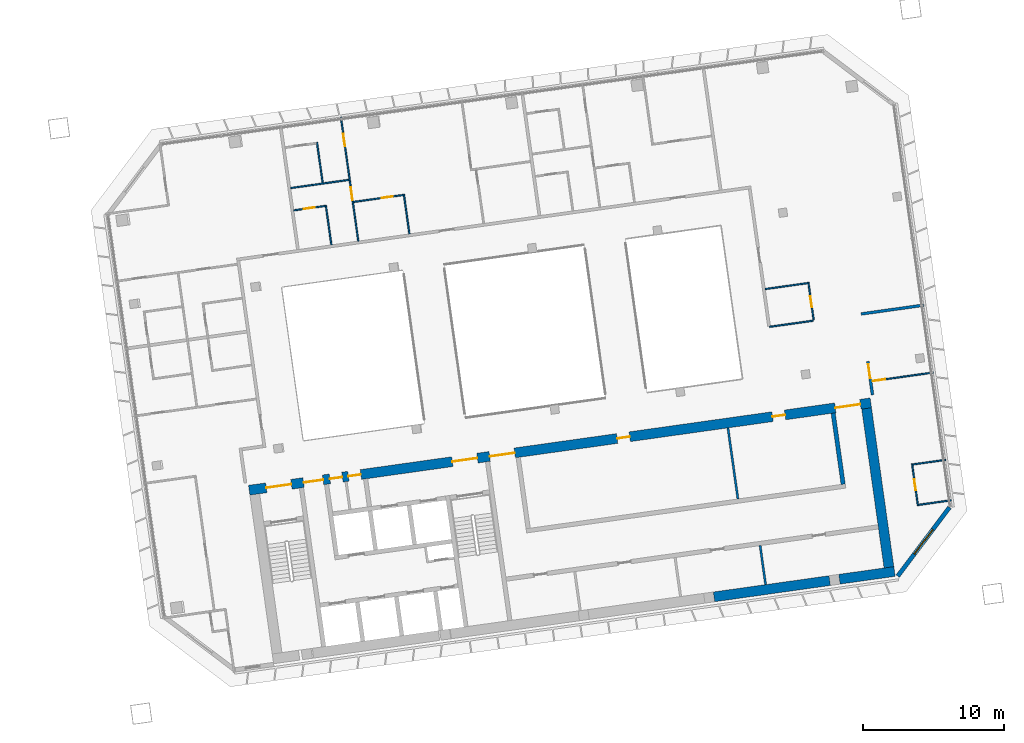
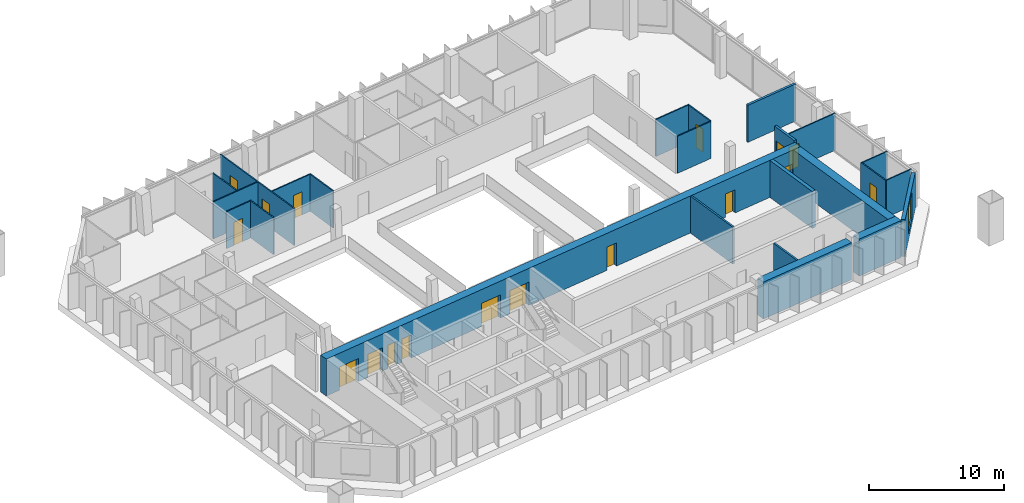
# One storey, part 19 of 23: 24 walls, 17 doors, 1 window, 18 openings.
"""IFC4 building model written with IfcOpenShell, lengths in metres."""

from ifc_helpers import new_model, si_unit, direction, frame, frame_2d, origin, place, context, subcontext, project, spatial, rectangle, extrude, material, layer, layer_set, type_object, element, fill, save


model = new_model("IFC4")

# Units and contexts
model_context = context("Model", 3, precision=1e-05, world=origin(), true_north=direction((0.0, 1.0)))
body_context = subcontext(model_context, "Body", "Model", "MODEL_VIEW")
ifc_project = project(units=[si_unit("LENGTHUNIT", "METRE"), si_unit("AREAUNIT", "SQUARE_METRE"), si_unit("VOLUMEUNIT", "CUBIC_METRE"), si_unit("PLANEANGLEUNIT", "RADIAN"), si_unit("MASSUNIT", "GRAM", prefix="KILO")], contexts=[model_context])

# Site, building, storey
site_placement = place(None, origin())
site = spatial("IfcSite", under=ifc_project, at=site_placement, CompositionType="ELEMENT")
building_placement = place(site_placement, origin())
building = spatial("IfcBuilding", under=site, at=building_placement, Name="Mirante Cascada Hotel Towers", CompositionType="ELEMENT")
storey_placement = place(building_placement, frame((0.0, 0.0, 199.2)))
storey = spatial("IfcBuildingStorey", under=building, at=storey_placement, Name="L47", CompositionType="ELEMENT", Elevation=199.2)

# Wall
ifc_material_1 = material(Name="Fire-rated plasterboard on metal studs")
ifc_layer_1 = layer(ifc_material_1, 0.2)
ifc_layer_set_1 = layer_set([ifc_layer_1], Name="Compartment wall 200 EI 120")
wall_type_1 = type_object("IfcWallType", Name="Compartment wall 200 EI 120", PredefinedType="PARTITIONING", material=ifc_layer_set_1)
wall_1_placement = place(storey_placement, frame((79.0183, 4.8891, 0.0), z_axis=(0.0, 0.0, 1.0), x_axis=(0.9902705, 0.1391561, 0.0)))
element("IfcWall", 1, at=wall_1_placement, inside=storey, type_object=wall_type_1, Name="Wall 2-L47-10", PredefinedType="PARTITIONING", context=body_context, shape_type="SweptSolid", body=[
    extrude(rectangle(XDim=4.5, YDim=0.2, at=frame_2d((2.25, 0.0))), origin(), (0.0, 0.0, 1.0), 3.35),
])

# Wall, opening, door
wall_2_placement = place(storey_placement, frame((79.4915, 1.5222, 0.0), z_axis=(0.0, 0.0, 1.0), x_axis=(0.1391635, -0.9902694, 0.0)))
wall_2 = element("IfcWall", 2, at=wall_2_placement, inside=storey, type_object=wall_type_1, Name="Wall 2-L47-55", PredefinedType="PARTITIONING", context=body_context, shape_type="SweptSolid", body=[
    extrude(rectangle(XDim=2.4001, YDim=0.2, at=frame_2d((1.2, 0.0))), origin(), (0.0, 0.0, 1.0), 3.35),
])
opening_1_placement = place(wall_2_placement, frame((0.2167, 0.0, 0.0)))
opening_1 = element("IfcOpeningElement", 3, at=opening_1_placement, cuts=wall_2, Name="Opening D2-L47-33", PredefinedType="OPENING", context=body_context, shape_type="SweptSolid", body=[
    extrude(rectangle(XDim=1.0, YDim=2.1, at=frame_2d((0.5, 1.05))), frame((0.0, 0.1, 0.0), z_axis=(0.0, -1.0, 0.0), x_axis=(1.0, 0.0, 0.0)), (0.0, 0.0, 1.0), 0.2),
])
ifc_material_2 = material(Name="Fire-rated timber door leaf", Category="wood")
door_type_1 = type_object("IfcDoorType", Name="Entrance door DG1 1000x2100 EI 60", OperationType="SINGLE_SWING_LEFT", PredefinedType="DOOR", material=ifc_material_2)
door_1_placement = place(opening_1_placement, origin())
door_1 = element("IfcDoor", 4, at=door_1_placement, inside=storey, type_object=door_type_1, Name="Door D2-L47-33", OperationType="SINGLE_SWING_LEFT", OverallHeight=2.1, OverallWidth=1.0, PredefinedType="DOOR", context=body_context, shape_type="SweptSolid", body=[
    extrude(rectangle(XDim=1.0, YDim=2.1, at=frame_2d((0.5, 1.05))), frame((0.0, 0.025, 0.0), z_axis=(0.0, -1.0, 0.0), x_axis=(1.0, 0.0, 0.0)), (0.0, 0.0, 1.0), 0.05),
])
fill(opening_1, door_1)

# Walls
ifc_material_3 = material(Name="Masonry block", Category="masonry")
ifc_layer_2 = layer(ifc_material_3, 0.15)
ifc_layer_set_2 = layer_set([ifc_layer_2], Name="Core room partition 150 block EI 30")
wall_type_2 = type_object("IfcWallType", Name="Core room partition 150 block EI 30", PredefinedType="PARTITIONING", material=ifc_layer_set_2)
wall_3_placement = place(storey_placement, frame((72.2288, -14.343, 0.0), z_axis=(0.0, 0.0, 1.0), x_axis=(-0.139181, 0.990267, 0.0)))
element("IfcWall", 5, at=wall_3_placement, inside=storey, type_object=wall_type_2, Name="Core wall partition T2 L47 8", PredefinedType="PARTITIONING", context=body_context, shape_type="SweptSolid", body=[
    extrude(rectangle(XDim=2.8, YDim=0.15, at=frame_2d((1.4, 0.0))), origin(), (0.0, 0.0, 1.0), 3.35),
])
wall_4_placement = place(storey_placement, frame((70.2627, -8.2574, 0.0), z_axis=(0.0, 0.0, 1.0), x_axis=(-0.1391755, 0.9902677, 0.0)))
element("IfcWall", 6, at=wall_4_placement, inside=storey, type_object=wall_type_2, Name="Core wall partition T2 L47 9", PredefinedType="PARTITIONING", context=body_context, shape_type="SweptSolid", body=[
    extrude(rectangle(XDim=5.1, YDim=0.15, at=frame_2d((2.55, 0.0))), origin(), (0.0, 0.0, 1.0), 3.35),
])
ifc_material_4 = material(Name="Plasterboard on metal studs")
ifc_layer_3 = layer(ifc_material_4, 0.1)
ifc_layer_set_3 = layer_set([ifc_layer_3], Name="Partition 100")
wall_type_3 = type_object("IfcWallType", Name="Partition 100", PredefinedType="PARTITIONING", material=ifc_layer_set_3)
for number, where, z_axis, x_axis, name in (
    (7, (85.4229, -8.3484, 0.0), (0.0, 0.0, 1.0), (-0.9902653, -0.1391929, 0.0), "Wall 2-L47-03"),
    (8, (82.6922, -5.8037, 0.0), (0.0, 0.0, 1.0), (0.9902653, 0.1391929, 0.0), "Wall 2-L47-04"),
):
    element("IfcWall", number, at=place(storey_placement, frame(where, z_axis=z_axis, x_axis=x_axis)), inside=storey, type_object=wall_type_3, Name=name, PredefinedType="PARTITIONING", context=body_context, shape_type="SweptSolid", body=[
        extrude(rectangle(XDim=2.35, YDim=0.1, at=frame_2d((1.175, 0.0))), origin(), (0.0, 0.0, 1.0), 3.35),
    ])

# Wall, opening, door
wall_5_placement = place(storey_placement, frame((79.79, 0.1167, 0.0), z_axis=(0.0, 0.0, 1.0), x_axis=(0.9902665, 0.1391841, 0.0)))
wall_5 = element("IfcWall", 9, at=wall_5_placement, inside=storey, type_object=wall_type_3, Name="Wall 2-L47-06", PredefinedType="PARTITIONING", context=body_context, shape_type="SweptSolid", body=[
    extrude(rectangle(XDim=4.3999, YDim=0.1, at=frame_2d((2.2, 0.0))), origin(), (0.0, 0.0, 1.0), 3.35),
])
opening_2_placement = place(wall_5_placement, frame((0.05, 0.0, 0.0)))
opening_2 = element("IfcOpeningElement", 10, at=opening_2_placement, cuts=wall_5, Name="Opening D2-L47-01", PredefinedType="OPENING", context=body_context, shape_type="SweptSolid", body=[
    extrude(rectangle(XDim=0.9, YDim=2.1, at=frame_2d((0.45, 1.05))), frame((0.0, 0.05, 0.0), z_axis=(0.0, -1.0, 0.0), x_axis=(1.0, 0.0, 0.0)), (0.0, 0.0, 1.0), 0.1),
])
ifc_material_5 = material(Name="Timber door leaf", Category="wood")
door_type_2 = type_object("IfcDoorType", Name="Room door DG3 900x2100", OperationType="SINGLE_SWING_LEFT", PredefinedType="DOOR", material=ifc_material_5)
door_2_placement = place(opening_2_placement, frame((0.9, 0.0, 0.0), z_axis=(0.0, 0.0, 1.0), x_axis=(-1.0, 0.0, 0.0)))
door_2 = element("IfcDoor", 11, at=door_2_placement, inside=storey, type_object=door_type_2, Name="Door D2-L47-01", OperationType="SINGLE_SWING_RIGHT", OverallHeight=2.1, OverallWidth=0.9, PredefinedType="DOOR", context=body_context, shape_type="SweptSolid", body=[
    extrude(rectangle(XDim=0.9, YDim=2.1, at=frame_2d((0.45, 1.05))), frame((0.0, 0.025, 0.0), z_axis=(0.0, -1.0, 0.0), x_axis=(1.0, 0.0, 0.0)), (0.0, 0.0, 1.0), 0.05),
])
fill(opening_2, door_2)

# Walls
wall_6_placement = place(storey_placement, frame((75.6216, 4.4117, 0.0), z_axis=(0.0, 0.0, 1.0), x_axis=(-0.990268, -0.1391738, 0.0)))
element("IfcWall", 12, at=wall_6_placement, inside=storey, type_object=wall_type_3, Name="Wall 2-L47-09", PredefinedType="PARTITIONING", context=body_context, shape_type="SweptSolid", body=[
    extrude(rectangle(XDim=3.14, YDim=0.1, at=frame_2d((1.57, 0.0))), origin(), (0.0, 0.0, 1.0), 3.35),
])
wall_7_placement = place(storey_placement, frame((75.3251, 7.0966, 0.0), z_axis=(0.0, 0.0, 1.0), x_axis=(-0.9902676, -0.1391765, 0.0)))
element("IfcWall", 13, at=wall_7_placement, inside=storey, type_object=wall_type_3, Name="Wall 2-L47-13", PredefinedType="PARTITIONING", context=body_context, shape_type="SweptSolid", body=[
    extrude(rectangle(XDim=3.15, YDim=0.1, at=frame_2d((1.575, 0.0))), origin(), (0.0, 0.0, 1.0), 3.35),
])

# Wall, opening, door
wall_8_placement = place(storey_placement, frame((40.9371, 12.5639, 0.0), z_axis=(0.0, 0.0, 1.0), x_axis=(-0.9902705, -0.1391561, 0.0)))
wall_8 = element("IfcWall", 14, at=wall_8_placement, inside=storey, type_object=wall_type_3, Name="Wall 2-L47-19", PredefinedType="PARTITIONING", context=body_context, shape_type="SweptSolid", body=[
    extrude(rectangle(XDim=2.25, YDim=0.1, at=frame_2d((1.125, 0.0))), origin(), (0.0, 0.0, 1.0), 3.35),
])
opening_3_placement = place(wall_8_placement, frame((0.75, 0.0, 0.0)))
opening_3 = element("IfcOpeningElement", 15, at=opening_3_placement, cuts=wall_8, Name="Opening D2-L47-09", PredefinedType="OPENING", context=body_context, shape_type="SweptSolid", body=[
    extrude(rectangle(XDim=0.8, YDim=2.1, at=frame_2d((0.4, 1.05))), frame((0.0, 0.05, 0.0), z_axis=(0.0, -1.0, 0.0), x_axis=(1.0, 0.0, 0.0)), (0.0, 0.0, 1.0), 0.1),
])
ifc_material_6 = material(Name="Timber door leaf", Category="wood")
door_type_3 = type_object("IfcDoorType", Name="Bathroom door DG4 800x2100", OperationType="SINGLE_SWING_LEFT", PredefinedType="DOOR", material=ifc_material_6)
door_3_placement = place(opening_3_placement, origin())
door_3 = element("IfcDoor", 16, at=door_3_placement, inside=storey, type_object=door_type_3, Name="Door D2-L47-09", OperationType="SINGLE_SWING_LEFT", OverallHeight=2.1, OverallWidth=0.8, PredefinedType="DOOR", context=body_context, shape_type="SweptSolid", body=[
    extrude(rectangle(XDim=0.8, YDim=2.1, at=frame_2d((0.4, 1.05))), frame((0.0, 0.025, 0.0), z_axis=(0.0, -1.0, 0.0), x_axis=(1.0, 0.0, 0.0)), (0.0, 0.0, 1.0), 0.05),
])
fill(opening_3, door_3)

wall_9_placement = place(storey_placement, frame((42.9499, 12.8468, 0.0), z_axis=(0.0, 0.0, 1.0), x_axis=(0.9902687, 0.1391688, 0.0)))
wall_9 = element("IfcWall", 17, at=wall_9_placement, inside=storey, type_object=wall_type_3, Name="Wall 2-L47-20", PredefinedType="PARTITIONING", context=body_context, shape_type="SweptSolid", body=[
    extrude(rectangle(XDim=3.6675, YDim=0.1, at=frame_2d((1.8338, 0.0))), origin(), (0.0, 0.0, 1.0), 3.35),
])
opening_4_placement = place(wall_9_placement, frame((2.0175, 0.0, 0.0)))
opening_4 = element("IfcOpeningElement", 18, at=opening_4_placement, cuts=wall_9, Name="Opening D2-L47-10", PredefinedType="OPENING", context=body_context, shape_type="SweptSolid", body=[
    extrude(rectangle(XDim=0.8, YDim=2.1, at=frame_2d((0.4, 1.05))), frame((0.0, 0.05, 0.0), z_axis=(0.0, -1.0, 0.0), x_axis=(1.0, 0.0, 0.0)), (0.0, 0.0, 1.0), 0.1),
])
door_4_placement = place(opening_4_placement, origin())
door_4 = element("IfcDoor", 19, at=door_4_placement, inside=storey, type_object=door_type_3, Name="Door D2-L47-10", OperationType="SINGLE_SWING_LEFT", OverallHeight=2.1, OverallWidth=0.8, PredefinedType="DOOR", context=body_context, shape_type="SweptSolid", body=[
    extrude(rectangle(XDim=0.8, YDim=2.1, at=frame_2d((0.4, 1.05))), frame((0.0, 0.025, 0.0), z_axis=(0.0, -1.0, 0.0), x_axis=(1.0, 0.0, 0.0)), (0.0, 0.0, 1.0), 0.05),
])
fill(opening_4, door_4)

# Walls
wall_10_placement = place(storey_placement, frame((38.4864, 13.8352, 0.0), z_axis=(0.0, 0.0, 1.0), x_axis=(0.9902678, 0.139175, 0.0)))
element("IfcWall", 20, at=wall_10_placement, inside=storey, type_object=wall_type_3, Name="Wall 2-L47-26", PredefinedType="PARTITIONING", context=body_context, shape_type="SweptSolid", body=[
    extrude(rectangle(XDim=4.1825, YDim=0.1, at=frame_2d((2.0912, 0.0))), origin(), (0.0, 0.0, 1.0), 3.35),
])
wall_11_placement = place(storey_placement, frame((41.3763, 9.7981, 0.0), z_axis=(0.0, 0.0, 1.0), x_axis=(-0.1391564, 0.9902704, 0.0)))
element("IfcWall", 21, at=wall_11_placement, inside=storey, type_object=wall_type_3, Name="Wall 2-L47-40", PredefinedType="PARTITIONING", context=body_context, shape_type="SweptSolid", body=[
    extrude(rectangle(XDim=2.85, YDim=0.1, at=frame_2d((1.425, 0.0))), origin(), (0.0, 0.0, 1.0), 3.35),
])
wall_12_placement = place(storey_placement, frame((40.3534, 17.0766, 0.0), z_axis=(0.0, 0.0, 1.0), x_axis=(0.1391714, -0.9902683, 0.0)))
element("IfcWall", 22, at=wall_12_placement, inside=storey, type_object=wall_type_3, Name="Wall 2-L47-41", PredefinedType="PARTITIONING", context=body_context, shape_type="SweptSolid", body=[
    extrude(rectangle(XDim=2.9, YDim=0.1, at=frame_2d((1.45, 0.0))), origin(), (0.0, 0.0, 1.0), 3.35),
])

# Wall, openings, doors
wall_13_placement = place(storey_placement, frame((43.29, 10.0671, 0.0), z_axis=(0.0, 0.0, 1.0), x_axis=(-0.13917, 0.9902685, 0.0)))
wall_13 = element("IfcWall", 23, at=wall_13_placement, inside=storey, type_object=wall_type_3, Name="Wall 2-L47-42", PredefinedType="PARTITIONING", context=body_context, shape_type="SweptSolid", body=[
    extrude(rectangle(XDim=8.8999, YDim=0.1, at=frame_2d((4.45, 0.0))), origin(), (0.0, 0.0, 1.0), 3.35),
])
opening_5_placement = place(wall_13_placement, frame((2.95, 0.0, 0.0)))
opening_5 = element("IfcOpeningElement", 24, at=opening_5_placement, cuts=wall_13, Name="Opening D2-L47-25", PredefinedType="OPENING", context=body_context, shape_type="SweptSolid", body=[
    extrude(rectangle(XDim=0.9, YDim=2.1, at=frame_2d((0.45, 1.05))), frame((0.0, 0.05, 0.0), z_axis=(0.0, -1.0, 0.0), x_axis=(1.0, 0.0, 0.0)), (0.0, 0.0, 1.0), 0.1),
])
opening_6_placement = place(wall_13_placement, frame((6.8, 0.0, 0.0)))
opening_6 = element("IfcOpeningElement", 25, at=opening_6_placement, cuts=wall_13, Name="Opening D2-L47-26", PredefinedType="OPENING", context=body_context, shape_type="SweptSolid", body=[
    extrude(rectangle(XDim=0.9, YDim=2.1, at=frame_2d((0.45, 1.05))), frame((0.0, 0.05, 0.0), z_axis=(0.0, -1.0, 0.0), x_axis=(1.0, 0.0, 0.0)), (0.0, 0.0, 1.0), 0.1),
])
door_5_placement = place(opening_5_placement, frame((0.9, 0.0, 0.0), z_axis=(0.0, 0.0, 1.0), x_axis=(-1.0, 0.0, 0.0)))
door_5 = element("IfcDoor", 26, at=door_5_placement, inside=storey, type_object=door_type_2, Name="Door D2-L47-25", OperationType="SINGLE_SWING_RIGHT", OverallHeight=2.1, OverallWidth=0.9, PredefinedType="DOOR", context=body_context, shape_type="SweptSolid", body=[
    extrude(rectangle(XDim=0.9, YDim=2.1, at=frame_2d((0.45, 1.05))), frame((0.0, 0.025, 0.0), z_axis=(0.0, -1.0, 0.0), x_axis=(1.0, 0.0, 0.0)), (0.0, 0.0, 1.0), 0.05),
])
fill(opening_5, door_5)
door_6_placement = place(opening_6_placement, frame((0.9, 0.0, 0.0), z_axis=(0.0, 0.0, 1.0), x_axis=(-1.0, 0.0, 0.0)))
door_6 = element("IfcDoor", 27, at=door_6_placement, inside=storey, type_object=door_type_2, Name="Door D2-L47-26", OperationType="SINGLE_SWING_RIGHT", OverallHeight=2.1, OverallWidth=0.9, PredefinedType="DOOR", context=body_context, shape_type="SweptSolid", body=[
    extrude(rectangle(XDim=0.9, YDim=2.1, at=frame_2d((0.45, 1.05))), frame((0.0, 0.025, 0.0), z_axis=(0.0, -1.0, 0.0), x_axis=(1.0, 0.0, 0.0)), (0.0, 0.0, 1.0), 0.05),
])
fill(opening_6, door_6)

# Wall
wall_14_placement = place(storey_placement, frame((46.5391, 13.3007, 0.0), z_axis=(0.0, 0.0, 1.0), x_axis=(0.1391657, -0.9902691, 0.0)))
element("IfcWall", 28, at=wall_14_placement, inside=storey, type_object=wall_type_3, Name="Wall 2-L47-43", PredefinedType="PARTITIONING", context=body_context, shape_type="SweptSolid", body=[
    extrude(rectangle(XDim=2.75, YDim=0.1, at=frame_2d((1.375, 0.0))), origin(), (0.0, 0.0, 1.0), 3.35),
])

# Wall, opening, door
wall_15_placement = place(storey_placement, frame((75.6444, 4.4654, 0.0), z_axis=(0.0, 0.0, 1.0), x_axis=(-0.1391918, 0.9902654, 0.0)))
wall_15 = element("IfcWall", 29, at=wall_15_placement, inside=storey, type_object=wall_type_3, Name="Wall 2-L47-54", PredefinedType="PARTITIONING", context=body_context, shape_type="SweptSolid", body=[
    extrude(rectangle(XDim=2.6, YDim=0.1, at=frame_2d((1.3, 0.0))), origin(), (0.0, 0.0, 1.0), 3.35),
])
opening_7_placement = place(wall_15_placement, frame((0.9, 0.0, 0.0)))
opening_7 = element("IfcOpeningElement", 30, at=opening_7_placement, cuts=wall_15, Name="Opening D2-L47-32", PredefinedType="OPENING", context=body_context, shape_type="SweptSolid", body=[
    extrude(rectangle(XDim=0.8, YDim=2.1, at=frame_2d((0.4, 1.05))), frame((0.0, 0.05, 0.0), z_axis=(0.0, -1.0, 0.0), x_axis=(1.0, 0.0, 0.0)), (0.0, 0.0, 1.0), 0.1),
])
door_7_placement = place(opening_7_placement, frame((0.8, 0.0, 0.0), z_axis=(0.0, 0.0, 1.0), x_axis=(-1.0, 0.0, 0.0)))
door_7 = element("IfcDoor", 31, at=door_7_placement, inside=storey, type_object=door_type_3, Name="Door D2-L47-32", OperationType="SINGLE_SWING_RIGHT", OverallHeight=2.1, OverallWidth=0.8, PredefinedType="DOOR", context=body_context, shape_type="SweptSolid", body=[
    extrude(rectangle(XDim=0.8, YDim=2.1, at=frame_2d((0.4, 1.05))), frame((0.0, 0.025, 0.0), z_axis=(0.0, -1.0, 0.0), x_axis=(1.0, 0.0, 0.0)), (0.0, 0.0, 1.0), 0.05),
])
fill(opening_7, door_7)

wall_16_placement = place(storey_placement, frame((83.0532, -8.7319, 0.0), z_axis=(0.0, 0.0, 1.0), x_axis=(-0.139167, 0.9902689, 0.0)))
wall_16 = element("IfcWall", 32, at=wall_16_placement, inside=storey, type_object=wall_type_3, Name="Wall 2-L47-56", PredefinedType="PARTITIONING", context=body_context, shape_type="SweptSolid", body=[
    extrude(rectangle(XDim=3.0, YDim=0.1, at=frame_2d((1.5, 0.0))), origin(), (0.0, 0.0, 1.0), 3.35),
])
opening_8_placement = place(wall_16_placement, frame((1.1, 0.0, 0.0)))
opening_8 = element("IfcOpeningElement", 33, at=opening_8_placement, cuts=wall_16, Name="Opening D2-L47-34", PredefinedType="OPENING", context=body_context, shape_type="SweptSolid", body=[
    extrude(rectangle(XDim=0.8, YDim=2.1, at=frame_2d((0.4, 1.05))), frame((0.0, 0.05, 0.0), z_axis=(0.0, -1.0, 0.0), x_axis=(1.0, 0.0, 0.0)), (0.0, 0.0, 1.0), 0.1),
])
door_8_placement = place(opening_8_placement, origin())
door_8 = element("IfcDoor", 34, at=door_8_placement, inside=storey, type_object=door_type_3, Name="Door D2-L47-34", OperationType="SINGLE_SWING_LEFT", OverallHeight=2.1, OverallWidth=0.8, PredefinedType="DOOR", context=body_context, shape_type="SweptSolid", body=[
    extrude(rectangle(XDim=0.8, YDim=2.1, at=frame_2d((0.4, 1.05))), frame((0.0, 0.025, 0.0), z_axis=(0.0, -1.0, 0.0), x_axis=(1.0, 0.0, 0.0)), (0.0, 0.0, 1.0), 0.05),
])
fill(opening_8, door_8)

# Wall, opening, window
ifc_material_7 = material(Name="Precast concrete C40/50", Category="concrete")
ifc_layer_4 = layer(ifc_material_7, 0.3)
ifc_layer_set_4 = layer_set([ifc_layer_4], Name="Precast concrete C40/50 cladding wall 300")
wall_type_4 = type_object("IfcWallType", Name="Precast concrete C40/50 cladding wall 300", PredefinedType="STANDARD", material=ifc_layer_set_4)
wall_17_placement = place(storey_placement, frame((81.6175, -13.7366, 0.0), z_axis=(0.0, 0.0, 1.0), x_axis=(0.6018141, 0.7986362, 0.0)))
wall_17 = element("IfcWall", 35, at=wall_17_placement, inside=storey, type_object=wall_type_4, Name="Corner cladding wall T2 L47 rear outer", PredefinedType="STANDARD", context=body_context, shape_type="SweptSolid", body=[
    extrude(rectangle(XDim=6.1157, YDim=0.3, at=frame_2d((3.0578, 0.0))), origin(), (0.0, 0.0, 1.0), 3.35),
])
opening_9_placement = place(wall_17_placement, frame((1.9578, 0.0, 0.6)))
opening_9 = element("IfcOpeningElement", 36, at=opening_9_placement, cuts=wall_17, Name="Opening W2-47-01", PredefinedType="OPENING", context=body_context, shape_type="SweptSolid", body=[
    extrude(rectangle(XDim=2.2, YDim=2.4, at=frame_2d((1.1, 1.2))), frame((0.0, 0.15, 0.0), z_axis=(0.0, -1.0, 0.0), x_axis=(1.0, 0.0, 0.0)), (0.0, 0.0, 1.0), 0.3),
])
ifc_material_8 = material(Name="Aluminium frame with clear double glazing", Category="aluminium")
window_type = type_object("IfcWindowType", Name="Corner suite window 2200x2400", PartitioningType="DOUBLE_PANEL_VERTICAL", PredefinedType="WINDOW", material=ifc_material_8)
window_placement = place(opening_9_placement, origin())
window = element("IfcWindow", 37, at=window_placement, inside=storey, type_object=window_type, Name="Window W2-47-01", OverallHeight=2.4, OverallWidth=2.2, PartitioningType="SINGLE_PANEL", PredefinedType="WINDOW", context=body_context, shape_type="SweptSolid", body=[
    extrude(rectangle(XDim=2.2, YDim=2.4, at=frame_2d((1.1, 1.2))), frame((0.0, 0.03, 0.0), z_axis=(0.0, -1.0, 0.0), x_axis=(1.0, 0.0, 0.0)), (0.0, 0.0, 1.0), 0.06),
])
fill(opening_9, window)

# Walls
ifc_material_9 = material(Name="Concrete C50/60", Category="concrete")
ifc_layer_5 = layer(ifc_material_9, 0.3)
ifc_layer_set_5 = layer_set([ifc_layer_5], Name="RC core wall 300 C50/60")
wall_type_5 = type_object("IfcWallType", Name="RC core wall 300 C50/60", PredefinedType="SHEAR", material=ifc_layer_set_5)
wall_18_placement = place(storey_placement, frame((77.7392, -7.2067, 0.0), z_axis=(0.0, 0.0, 1.0), x_axis=(-0.1391755, 0.9902677, 0.0)))
element("IfcWall", 38, at=wall_18_placement, inside=storey, type_object=wall_type_5, Name="Core wall T2:L47:29", PredefinedType="SHEAR", context=body_context, shape_type="SweptSolid", body=[
    extrude(rectangle(XDim=5.1, YDim=0.3, at=frame_2d((2.55, 0.0))), origin(), (0.0, 0.0, 1.0), 3.35),
])
ifc_material_10 = material(Name="Concrete C50/60", Category="concrete")
ifc_layer_6 = layer(ifc_material_10, 0.7)
ifc_layer_set_6 = layer_set([ifc_layer_6], Name="RC core wall 700 C50/60")
wall_type_6 = type_object("IfcWallType", Name="RC core wall 700 C50/60", PredefinedType="SHEAR", material=ifc_layer_set_6)
wall_19_placement = place(storey_placement, frame((68.564, -15.2115, 0.0), z_axis=(0.0, 0.0, 1.0), x_axis=(0.9902686, 0.1391692, 0.0)))
element("IfcWall", 39, at=wall_19_placement, inside=storey, type_object=wall_type_6, Name="Core wall T2:L47:1.5", PredefinedType="SHEAR", context=body_context, shape_type="SweptSolid", body=[
    extrude(rectangle(XDim=8.3, YDim=0.7, at=frame_2d((4.15, 0.0))), origin(), (0.0, 0.0, 1.0), 3.35),
])
wall_20_placement = place(storey_placement, frame((77.4764, -13.9589, 0.0), z_axis=(0.0, 0.0, 1.0), x_axis=(0.9902694, 0.1391633, 0.0)))
element("IfcWall", 40, at=wall_20_placement, inside=storey, type_object=wall_type_6, Name="Core wall T2:L47:1.6", PredefinedType="SHEAR", context=body_context, shape_type="SweptSolid", body=[
    extrude(rectangle(XDim=3.95, YDim=0.7, at=frame_2d((1.975, 0.0))), origin(), (0.0, 0.0, 1.0), 3.35),
])

# Wall, openings, doors
wall_21_placement = place(storey_placement, frame((35.538, -7.6341, 0.0), z_axis=(0.0, 0.0, 1.0), x_axis=(0.9902682, 0.1391725, 0.0)))
wall_21 = element("IfcWall", 41, at=wall_21_placement, inside=storey, type_object=wall_type_6, Name="Core wall T2:L47:2", PredefinedType="SHEAR", context=body_context, shape_type="SweptSolid", body=[
    extrude(rectangle(XDim=44.6, YDim=0.7, at=frame_2d((22.3, 0.0))), origin(), (0.0, 0.0, 1.0), 3.35),
])
opening_10_placement = place(wall_21_placement, frame((1.225, 0.0, 0.0)))
opening_10 = element("IfcOpeningElement", 42, at=opening_10_placement, cuts=wall_21, Name="Opening D2-47-C08", PredefinedType="OPENING", context=body_context, shape_type="SweptSolid", body=[
    extrude(rectangle(XDim=1.8, YDim=2.1, at=frame_2d((0.9, 1.05))), frame((0.0, 0.35, 0.0), z_axis=(0.0, -1.0, 0.0), x_axis=(1.0, 0.0, 0.0)), (0.0, 0.0, 1.0), 0.7),
])
opening_11_placement = place(wall_21_placement, frame((14.575, 0.0, 0.0)))
opening_11 = element("IfcOpeningElement", 43, at=opening_11_placement, cuts=wall_21, Name="Opening D2-47-C10", PredefinedType="OPENING", context=body_context, shape_type="SweptSolid", body=[
    extrude(rectangle(XDim=1.8, YDim=2.1, at=frame_2d((0.9, 1.05))), frame((0.0, 0.35, 0.0), z_axis=(0.0, -1.0, 0.0), x_axis=(1.0, 0.0, 0.0)), (0.0, 0.0, 1.0), 0.7),
])
opening_12_placement = place(wall_21_placement, frame((3.9, 0.0, 0.0)))
opening_12 = element("IfcOpeningElement", 44, at=opening_12_placement, cuts=wall_21, Name="Opening D2-47-C11", PredefinedType="OPENING", context=body_context, shape_type="SweptSolid", body=[
    extrude(rectangle(XDim=1.4, YDim=2.1, at=frame_2d((0.7, 1.05))), frame((0.0, 0.35, 0.0), z_axis=(0.0, -1.0, 0.0), x_axis=(1.0, 0.0, 0.0)), (0.0, 0.0, 1.0), 0.7),
])
opening_13_placement = place(wall_21_placement, frame((17.25, 0.0, 0.0)))
opening_13 = element("IfcOpeningElement", 45, at=opening_13_placement, cuts=wall_21, Name="Opening D2-47-C12", PredefinedType="OPENING", context=body_context, shape_type="SweptSolid", body=[
    extrude(rectangle(XDim=1.8, YDim=2.1, at=frame_2d((0.9, 1.05))), frame((0.0, 0.35, 0.0), z_axis=(0.0, -1.0, 0.0), x_axis=(1.0, 0.0, 0.0)), (0.0, 0.0, 1.0), 0.7),
])
opening_14_placement = place(wall_21_placement, frame((42.05, 0.0, 0.0)))
opening_14 = element("IfcOpeningElement", 46, at=opening_14_placement, cuts=wall_21, Name="Opening D2-47-C13", PredefinedType="OPENING", context=body_context, shape_type="SweptSolid", body=[
    extrude(rectangle(XDim=1.8, YDim=2.1, at=frame_2d((0.9, 1.05))), frame((0.0, 0.35, 0.0), z_axis=(0.0, -1.0, 0.0), x_axis=(1.0, 0.0, 0.0)), (0.0, 0.0, 1.0), 0.7),
])
opening_15_placement = place(wall_21_placement, frame((5.7875, 0.0, 0.0)))
opening_15 = element("IfcOpeningElement", 47, at=opening_15_placement, cuts=wall_21, Name="Opening D2-47-C16", PredefinedType="OPENING", context=body_context, shape_type="SweptSolid", body=[
    extrude(rectangle(XDim=0.9, YDim=2.1, at=frame_2d((0.45, 1.05))), frame((0.0, 0.35, 0.0), z_axis=(0.0, -1.0, 0.0), x_axis=(1.0, 0.0, 0.0)), (0.0, 0.0, 1.0), 0.7),
])
opening_16_placement = place(wall_21_placement, frame((7.1125, 0.0, 0.0)))
opening_16 = element("IfcOpeningElement", 48, at=opening_16_placement, cuts=wall_21, Name="Opening D2-47-C17", PredefinedType="OPENING", context=body_context, shape_type="SweptSolid", body=[
    extrude(rectangle(XDim=0.9, YDim=2.1, at=frame_2d((0.45, 1.05))), frame((0.0, 0.35, 0.0), z_axis=(0.0, -1.0, 0.0), x_axis=(1.0, 0.0, 0.0)), (0.0, 0.0, 1.0), 0.7),
])
opening_17_placement = place(wall_21_placement, frame((26.4, 0.0, 0.0)))
opening_17 = element("IfcOpeningElement", 49, at=opening_17_placement, cuts=wall_21, Name="Opening D2-47-C22", PredefinedType="OPENING", context=body_context, shape_type="SweptSolid", body=[
    extrude(rectangle(XDim=0.9, YDim=2.1, at=frame_2d((0.45, 1.05))), frame((0.0, 0.35, 0.0), z_axis=(0.0, -1.0, 0.0), x_axis=(1.0, 0.0, 0.0)), (0.0, 0.0, 1.0), 0.7),
])
opening_18_placement = place(wall_21_placement, frame((37.55, 0.0, 0.0)))
opening_18 = element("IfcOpeningElement", 50, at=opening_18_placement, cuts=wall_21, Name="Opening D2-47-C23", PredefinedType="OPENING", context=body_context, shape_type="SweptSolid", body=[
    extrude(rectangle(XDim=0.9, YDim=2.1, at=frame_2d((0.45, 1.05))), frame((0.0, 0.35, 0.0), z_axis=(0.0, -1.0, 0.0), x_axis=(1.0, 0.0, 0.0)), (0.0, 0.0, 1.0), 0.7),
])
ifc_material_11 = material(Name="Hollow metal fire door leaf")
door_type_4 = type_object("IfcDoorType", Name="Double fire door 1400x2100 FD60", OperationType="DOUBLE_DOOR_SINGLE_SWING", PredefinedType="DOOR", material=ifc_material_11)
door_9_placement = place(opening_12_placement, origin())
door_9 = element("IfcDoor", 51, at=door_9_placement, inside=storey, type_object=door_type_4, Name="Exit door to gallery T2 L47 11", OperationType="DOUBLE_DOOR_SINGLE_SWING", OverallHeight=2.1, OverallWidth=1.4, PredefinedType="DOOR", context=body_context, shape_type="SweptSolid", body=[
    extrude(rectangle(XDim=0.695, YDim=2.1, at=frame_2d((0.3475, 1.05))), frame((0.0, 0.025, 0.0), z_axis=(0.0, -1.0, 0.0), x_axis=(1.0, 0.0, 0.0)), (0.0, 0.0, 1.0), 0.05),
    extrude(rectangle(XDim=0.695, YDim=2.1, at=frame_2d((1.0525, 1.05))), frame((0.0, 0.025, 0.0), z_axis=(0.0, -1.0, 0.0), x_axis=(1.0, 0.0, 0.0)), (0.0, 0.0, 1.0), 0.05),
])
fill(opening_12, door_9)
ifc_material_12 = material(Name="Hollow metal fire door leaf")
door_type_5 = type_object("IfcDoorType", Name="Double fire door 1800x2100 FD60", OperationType="DOUBLE_DOOR_SINGLE_SWING", PredefinedType="DOOR", material=ifc_material_12)
door_10_placement = place(opening_10_placement, frame((1.8, 0.0, 0.0), z_axis=(0.0, 0.0, 1.0), x_axis=(-1.0, 0.0, 0.0)))
door_10 = element("IfcDoor", 52, at=door_10_placement, inside=storey, type_object=door_type_5, Name="Exit door to gallery T2 L47 8", OperationType="DOUBLE_DOOR_SINGLE_SWING", OverallHeight=2.1, OverallWidth=1.8, PredefinedType="DOOR", context=body_context, shape_type="SweptSolid", body=[
    extrude(rectangle(XDim=0.895, YDim=2.1, at=frame_2d((0.4475, 1.05))), frame((0.0, 0.025, 0.0), z_axis=(0.0, -1.0, 0.0), x_axis=(1.0, 0.0, 0.0)), (0.0, 0.0, 1.0), 0.05),
    extrude(rectangle(XDim=0.895, YDim=2.1, at=frame_2d((1.3525, 1.05))), frame((0.0, 0.025, 0.0), z_axis=(0.0, -1.0, 0.0), x_axis=(1.0, 0.0, 0.0)), (0.0, 0.0, 1.0), 0.05),
])
fill(opening_10, door_10)
door_11_placement = place(opening_11_placement, frame((1.8, 0.0, 0.0), z_axis=(0.0, 0.0, 1.0), x_axis=(-1.0, 0.0, 0.0)))
door_11 = element("IfcDoor", 53, at=door_11_placement, inside=storey, type_object=door_type_5, Name="Exit door to gallery T2 L47 10", OperationType="DOUBLE_DOOR_SINGLE_SWING", OverallHeight=2.1, OverallWidth=1.8, PredefinedType="DOOR", context=body_context, shape_type="SweptSolid", body=[
    extrude(rectangle(XDim=0.895, YDim=2.1, at=frame_2d((0.4475, 1.05))), frame((0.0, 0.025, 0.0), z_axis=(0.0, -1.0, 0.0), x_axis=(1.0, 0.0, 0.0)), (0.0, 0.0, 1.0), 0.05),
    extrude(rectangle(XDim=0.895, YDim=2.1, at=frame_2d((1.3525, 1.05))), frame((0.0, 0.025, 0.0), z_axis=(0.0, -1.0, 0.0), x_axis=(1.0, 0.0, 0.0)), (0.0, 0.0, 1.0), 0.05),
])
fill(opening_11, door_11)
door_12_placement = place(opening_13_placement, origin())
door_12 = element("IfcDoor", 54, at=door_12_placement, inside=storey, type_object=door_type_5, Name="Exit door to gallery T2 L47 12", OperationType="DOUBLE_DOOR_SINGLE_SWING", OverallHeight=2.1, OverallWidth=1.8, PredefinedType="DOOR", context=body_context, shape_type="SweptSolid", body=[
    extrude(rectangle(XDim=0.895, YDim=2.1, at=frame_2d((0.4475, 1.05))), frame((0.0, 0.025, 0.0), z_axis=(0.0, -1.0, 0.0), x_axis=(1.0, 0.0, 0.0)), (0.0, 0.0, 1.0), 0.05),
    extrude(rectangle(XDim=0.895, YDim=2.1, at=frame_2d((1.3525, 1.05))), frame((0.0, 0.025, 0.0), z_axis=(0.0, -1.0, 0.0), x_axis=(1.0, 0.0, 0.0)), (0.0, 0.0, 1.0), 0.05),
])
fill(opening_13, door_12)
door_13_placement = place(opening_14_placement, origin())
door_13 = element("IfcDoor", 55, at=door_13_placement, inside=storey, type_object=door_type_5, Name="Exit door to gallery T2 L47 13", OperationType="DOUBLE_DOOR_SINGLE_SWING", OverallHeight=2.1, OverallWidth=1.8, PredefinedType="DOOR", context=body_context, shape_type="SweptSolid", body=[
    extrude(rectangle(XDim=0.895, YDim=2.1, at=frame_2d((0.4475, 1.05))), frame((0.0, 0.025, 0.0), z_axis=(0.0, -1.0, 0.0), x_axis=(1.0, 0.0, 0.0)), (0.0, 0.0, 1.0), 0.05),
    extrude(rectangle(XDim=0.895, YDim=2.1, at=frame_2d((1.3525, 1.05))), frame((0.0, 0.025, 0.0), z_axis=(0.0, -1.0, 0.0), x_axis=(1.0, 0.0, 0.0)), (0.0, 0.0, 1.0), 0.05),
])
fill(opening_14, door_13)
ifc_material_13 = material(Name="Hollow metal fire door leaf")
door_type_6 = type_object("IfcDoorType", Name="Fire door 900x2100 FD60", OperationType="NOTDEFINED", PredefinedType="DOOR", material=ifc_material_13)
door_14_placement = place(opening_15_placement, frame((0.9, 0.0, 0.0), z_axis=(0.0, 0.0, 1.0), x_axis=(-1.0, 0.0, 0.0)))
door_14 = element("IfcDoor", 56, at=door_14_placement, inside=storey, type_object=door_type_6, Name="Room door T2 L47 16", OperationType="SINGLE_SWING_LEFT", OverallHeight=2.1, OverallWidth=0.9, PredefinedType="DOOR", context=body_context, shape_type="SweptSolid", body=[
    extrude(rectangle(XDim=0.9, YDim=2.1, at=frame_2d((0.45, 1.05))), frame((0.0, 0.025, 0.0), z_axis=(0.0, -1.0, 0.0), x_axis=(1.0, 0.0, 0.0)), (0.0, 0.0, 1.0), 0.05),
])
fill(opening_15, door_14)
door_15_placement = place(opening_16_placement, frame((0.9, 0.0, 0.0), z_axis=(0.0, 0.0, 1.0), x_axis=(-1.0, 0.0, 0.0)))
door_15 = element("IfcDoor", 57, at=door_15_placement, inside=storey, type_object=door_type_6, Name="Room door T2 L47 17", OperationType="SINGLE_SWING_LEFT", OverallHeight=2.1, OverallWidth=0.9, PredefinedType="DOOR", context=body_context, shape_type="SweptSolid", body=[
    extrude(rectangle(XDim=0.9, YDim=2.1, at=frame_2d((0.45, 1.05))), frame((0.0, 0.025, 0.0), z_axis=(0.0, -1.0, 0.0), x_axis=(1.0, 0.0, 0.0)), (0.0, 0.0, 1.0), 0.05),
])
fill(opening_16, door_15)
door_16_placement = place(opening_17_placement, frame((0.9, 0.0, 0.0), z_axis=(0.0, 0.0, 1.0), x_axis=(-1.0, 0.0, 0.0)))
door_16 = element("IfcDoor", 58, at=door_16_placement, inside=storey, type_object=door_type_6, Name="Room door T2 L47 22", OperationType="SINGLE_SWING_RIGHT", OverallHeight=2.1, OverallWidth=0.9, PredefinedType="DOOR", context=body_context, shape_type="SweptSolid", body=[
    extrude(rectangle(XDim=0.9, YDim=2.1, at=frame_2d((0.45, 1.05))), frame((0.0, 0.025, 0.0), z_axis=(0.0, -1.0, 0.0), x_axis=(1.0, 0.0, 0.0)), (0.0, 0.0, 1.0), 0.05),
])
fill(opening_17, door_16)
door_17_placement = place(opening_18_placement, frame((0.9, 0.0, 0.0), z_axis=(0.0, 0.0, 1.0), x_axis=(-1.0, 0.0, 0.0)))
door_17 = element("IfcDoor", 59, at=door_17_placement, inside=storey, type_object=door_type_6, Name="Room door T2 L47 23", OperationType="SINGLE_SWING_RIGHT", OverallHeight=2.1, OverallWidth=0.9, PredefinedType="DOOR", context=body_context, shape_type="SweptSolid", body=[
    extrude(rectangle(XDim=0.9, YDim=2.1, at=frame_2d((0.45, 1.05))), frame((0.0, 0.025, 0.0), z_axis=(0.0, -1.0, 0.0), x_axis=(1.0, 0.0, 0.0)), (0.0, 0.0, 1.0), 0.05),
])
fill(opening_18, door_17)

# Wall
wall_22_placement = place(storey_placement, frame((80.9927, -13.1113, 0.0), z_axis=(0.0, 0.0, 1.0), x_axis=(-0.1391761, 0.9902677, 0.0)))
element("IfcWall", 60, at=wall_22_placement, inside=storey, type_object=wall_type_6, Name="Core wall T2:L47:4", PredefinedType="SHEAR", context=body_context, shape_type="SweptSolid", body=[
    extrude(rectangle(XDim=11.3999, YDim=0.7, at=frame_2d((5.7, 0.0))), origin(), (0.0, 0.0, 1.0), 3.35),
])

save(model, "model.ifc")
